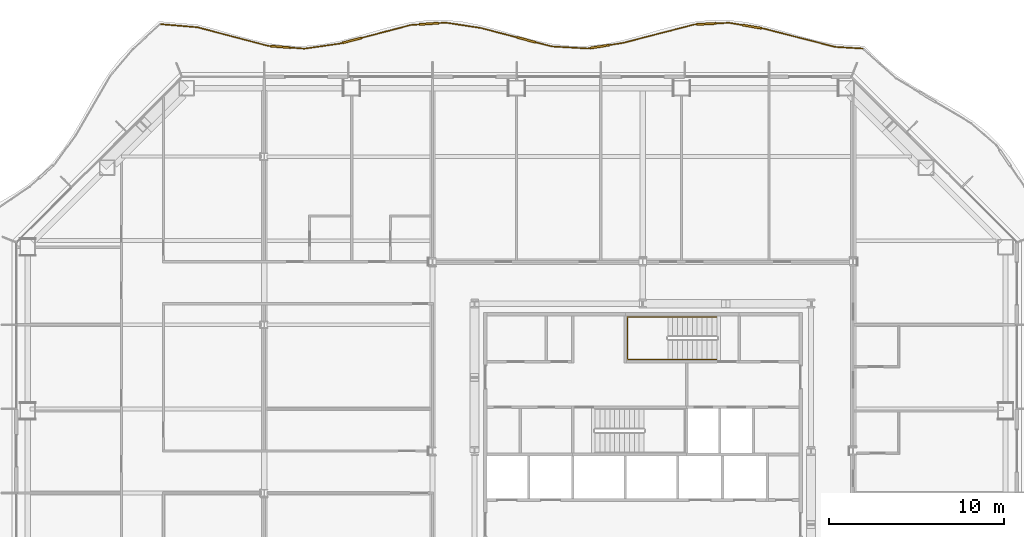
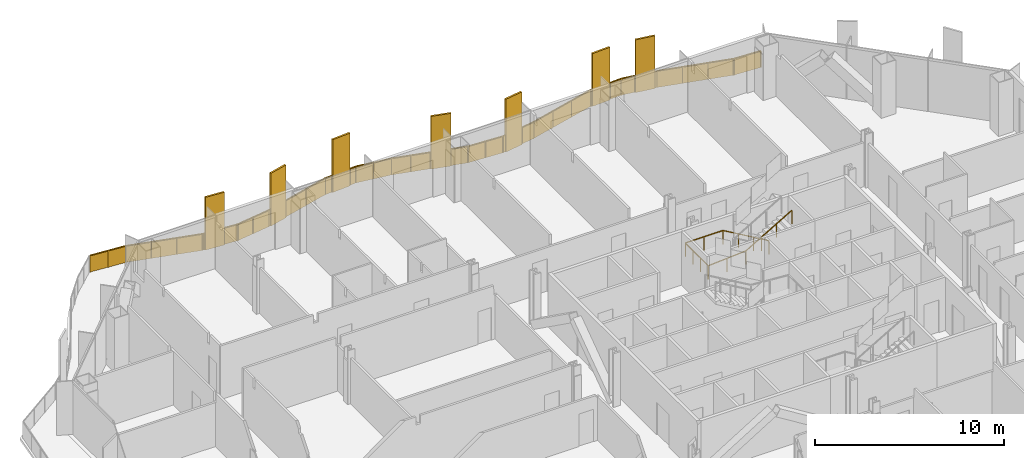
# One storey, part 20 of 21: 2 railings.
"""IFC4 building model written with IfcOpenShell, lengths in metres."""

from ifc_helpers import new_model, si_unit, direction, frame, origin, origin_2d, place, context, subcontext, project, spatial, polyline, rectangle, outline, extrude, material, type_object, element, save


model = new_model("IFC4")

# Units and contexts
model_context = context("Model", 3, precision=1e-05, world=origin(), true_north=direction((0.0, 1.0)))
body_context = subcontext(model_context, "Body", "Model", "MODEL_VIEW")
ifc_project = project(units=[si_unit("LENGTHUNIT", "METRE"), si_unit("AREAUNIT", "SQUARE_METRE"), si_unit("VOLUMEUNIT", "CUBIC_METRE"), si_unit("PLANEANGLEUNIT", "RADIAN"), si_unit("MASSUNIT", "GRAM", prefix="KILO")], contexts=[model_context])

# Site, building, storey
site_placement = place(None, origin())
site = spatial("IfcSite", under=ifc_project, at=site_placement, CompositionType="ELEMENT")
building_placement = place(site_placement, origin())
building = spatial("IfcBuilding", under=site, at=building_placement, Name="Cairn Pilgrim Tower", CompositionType="ELEMENT")
storey_placement = place(building_placement, frame((0.0, 0.0, 69.0)))
storey = spatial("IfcBuildingStorey", under=building, at=storey_placement, Name="L15", CompositionType="ELEMENT", Elevation=69.0)

# Railings
ifc_material_1 = material(Name="Bronze anodised aluminium rail, posts and fin screens with laminated glass infill", Category="aluminium")
railing_type_1 = type_object("IfcRailingType", Name="BALCONY GUARD WITH FIN SCREENS", PredefinedType="GUARDRAIL", material=ifc_material_1)
railing_1_placement = place(storey_placement, frame((19.762939453125, 25.360595703125, 0.0)))
element("IfcRailing", 1, at=railing_1_placement, inside=storey, type_object=railing_type_1, Name="Balcony guard BGF-5 with fin screens", PredefinedType="GUARDRAIL", context=body_context, shape_type="SweptSolid", body=[
    extrude(rectangle(XDim=0.050048828125, YDim=0.050048828125, at=origin_2d()), frame((0.0, 0.0, 1.0751953125), z_axis=(-0.998218141407, 0.059670278748, 0.0), x_axis=(-0.059670278748, -0.998218141407, 0.0)), (0.0, 0.0, 1.0), 1.599853515625),
    extrude(rectangle(XDim=0.050048828125, YDim=0.050048828125, at=origin_2d()), frame((-1.596923828125, 0.095458984375, 1.0751953125), z_axis=(-0.96855607418, 0.248795360024, 0.0), x_axis=(-0.248795360024, -0.96855607418, 0.0)), (0.0, 0.0, 1.0), 4.181396484375),
    extrude(rectangle(XDim=1.10009765625, YDim=0.110107421875, at=origin_2d()), frame((-6.337158203125, 1.251220703125, 0.0), z_axis=(0.0, 0.0, 1.0), x_axis=(-0.986305870656, 0.164926436659, 0.0)), (0.0, 0.0, 1.0), 3.39990234375),
    extrude(rectangle(XDim=0.050048828125, YDim=0.050048828125, at=origin_2d()), frame((-5.646728515625, 1.1357421875, 1.0751953125), z_axis=(-0.986305870656, 0.164926436659, 0.0), x_axis=(-0.164926436659, -0.986305870656, 0.0)), (0.0, 0.0, 1.0), 0.14990234375),
    extrude(rectangle(XDim=0.050048828125, YDim=0.050048828125, at=origin_2d()), frame((-6.879638671875, 1.341796875, 1.0751953125), z_axis=(-0.986305870656, 0.164926436659, 0.0), x_axis=(-0.164926436659, -0.986305870656, 0.0)), (0.0, 0.0, 1.0), 0.776611328125),
    extrude(rectangle(XDim=1.10009765625, YDim=0.110107421875, at=origin_2d()), frame((-8.935791015625, 1.40673828125, 0.0), z_axis=(0.0, 0.0, 1.0), x_axis=(-0.998797465844, -0.049026750072, 0.0)), (0.0, 0.0, 1.0), 3.39990234375),
    extrude(rectangle(XDim=0.050048828125, YDim=0.050048828125, at=origin_2d()), frame((-7.6455078125, 1.469970703125, 1.0751953125), z_axis=(-0.998797465844, -0.049026750072, 0.0), x_axis=(0.049026750072, -0.998797465844, 0.0)), (0.0, 0.0, 1.0), 0.74169921875),
    extrude(rectangle(XDim=0.050048828125, YDim=0.050048828125, at=origin_2d()), frame((-9.485107421875, 1.379638671875, 1.0751953125), z_axis=(-0.998797465844, -0.049026750072, 0.0), x_axis=(0.049026750072, -0.998797465844, 0.0)), (0.0, 0.0, 1.0), 0.150146484375),
    extrude(rectangle(XDim=0.050048828125, YDim=0.050048828125, at=origin_2d()), frame((-9.635009765625, 1.372314453125, 1.0751953125), z_axis=(-0.968096450411, -0.250577857565, 0.0), x_axis=(0.250577857565, -0.968096450411, 0.0)), (0.0, 0.0, 1.0), 4.167236328125),
    extrude(rectangle(XDim=1.10009765625, YDim=0.110107421875, at=origin_2d()), frame((-15.02197265625, 0.112548828125, 0.0), z_axis=(0.0, 0.0, 1.0), x_axis=(-0.987544927849, -0.157337266661, 0.0)), (0.0, 0.0, 1.0), 3.39990234375),
    extrude(rectangle(XDim=0.050048828125, YDim=0.050048828125, at=origin_2d()), frame((-13.669189453125, 0.328125, 1.0751953125), z_axis=(-0.987544927849, -0.157337266661, 0.0), x_axis=(0.157337266661, -0.987544927849, 0.0)), (0.0, 0.0, 1.0), 0.81982421875),
    extrude(rectangle(XDim=0.050048828125, YDim=0.050048828125, at=origin_2d()), frame((-15.565185546875, 0.026123046875, 1.0751953125), z_axis=(-0.987544927849, -0.157337266661, 0.0), x_axis=(0.157337266661, -0.987544927849, 0.0)), (0.0, 0.0, 1.0), 0.150146484375),
    extrude(rectangle(XDim=0.050048828125, YDim=0.050048828125, at=origin_2d()), frame((-15.71337890625, 0.00244140625, 1.0751953125), z_axis=(-0.998304954298, 0.058199812922, 0.0), x_axis=(-0.058199812922, -0.998304954298, 0.0)), (0.0, 0.0, 1.0), 2.055419921875),
    extrude(rectangle(XDim=1.10009765625, YDim=0.110107421875, at=origin_2d()), frame((-19.21337890625, 0.499267578125, 0.0), z_axis=(0.0, 0.0, 1.0), x_axis=(-0.967706443735, 0.252079826154, 0.0)), (0.0, 0.0, 1.0), 3.39990234375),
    extrude(rectangle(XDim=0.050048828125, YDim=0.050048828125, at=origin_2d()), frame((-17.765380859375, 0.1220703125, 1.0751953125), z_axis=(-0.967706443735, 0.252079826154, 0.0), x_axis=(-0.252079826154, -0.967706443735, 0.0)), (0.0, 0.0, 1.0), 0.9462890625),
    extrude(rectangle(XDim=0.050048828125, YDim=0.050048828125, at=origin_2d()), frame((-19.74560546875, 0.637939453125, 1.0751953125), z_axis=(-0.967706443735, 0.252079826154, 0.0), x_axis=(-0.252079826154, -0.967706443735, 0.0)), (0.0, 0.0, 1.0), 2.1376953125),
    extrude(rectangle(XDim=0.050048828125, YDim=0.050048828125, at=origin_2d()), frame((-21.814208984375, 1.1767578125, 1.0751953125), z_axis=(-0.98872255573, 0.149758832096, 0.0), x_axis=(-0.149758832096, -0.98872255573, 0.0)), (0.0, 0.0, 1.0), 2.019775390625),
    extrude(rectangle(XDim=1.10009765625, YDim=0.110107421875, at=origin_2d()), frame((-24.767333984375, 1.41455078125, 0.0), z_axis=(0.0, 0.0, 1.0), x_axis=(-0.997724097108, -0.067428673802, 0.0)), (0.0, 0.0, 1.0), 3.39990234375),
    extrude(rectangle(XDim=0.050048828125, YDim=0.050048828125, at=origin_2d()), frame((-23.811279296875, 1.479248046875, 1.0751953125), z_axis=(-0.997724097108, -0.067428673802, 0.0), x_axis=(0.067428673802, -0.997724097108, 0.0)), (0.0, 0.0, 1.0), 0.408203125),
    extrude(rectangle(XDim=0.050048828125, YDim=0.050048828125, at=origin_2d()), frame((-25.31591796875, 1.37744140625, 1.0751953125), z_axis=(-0.997724097108, -0.067428673802, 0.0), x_axis=(0.067428673802, -0.997724097108, 0.0)), (0.0, 0.0, 1.0), 0.48681640625),
    extrude(rectangle(XDim=1.10009765625, YDim=0.110107421875, at=origin_2d()), frame((-29.1611328125, 0.46484375, 0.0), z_axis=(0.0, 0.0, 1.0), x_axis=(-0.9673770032, -0.253341140913, 0.0)), (0.0, 0.0, 1.0), 3.39990234375),
    extrude(rectangle(XDim=0.050048828125, YDim=0.050048828125, at=origin_2d()), frame((-25.8017578125, 1.3447265625, 1.0751953125), z_axis=(-0.9673770032, -0.253341140913, 0.0), x_axis=(0.253341140913, -0.9673770032, 0.0)), (0.0, 0.0, 1.0), 2.922607421875),
    extrude(rectangle(XDim=0.050048828125, YDim=0.050048828125, at=origin_2d()), frame((-29.693359375, 0.32568359375, 1.0751953125), z_axis=(-0.9673770032, -0.253341140913, 0.0), x_axis=(0.253341140913, -0.9673770032, 0.0)), (0.0, 0.0, 1.0), 0.150146484375),
    extrude(rectangle(XDim=0.050048828125, YDim=0.050048828125, at=origin_2d()), frame((-29.83837890625, 0.28759765625, 1.0751953125), z_axis=(-0.989902187705, -0.141752103251, 0.0), x_axis=(0.141752103251, -0.989902187705, 0.0)), (0.0, 0.0, 1.0), 2.066650390625),
    extrude(rectangle(XDim=1.10009765625, YDim=0.110107421875, at=origin_2d()), frame((-33.2373046875, 0.098388671875, 0.0), z_axis=(0.0, 0.0, 1.0), x_axis=(-0.997074697067, 0.07643329424, 0.0)), (0.0, 0.0, 1.0), 3.39990234375),
    extrude(rectangle(XDim=0.050048828125, YDim=0.050048828125, at=origin_2d()), frame((-31.88427734375, -0.00537109375, 1.0751953125), z_axis=(-0.997074697067, 0.07643329424, 0.0), x_axis=(-0.07643329424, -0.997074697067, 0.0)), (0.0, 0.0, 1.0), 0.806884765625),
    extrude(rectangle(XDim=0.050048828125, YDim=0.050048828125, at=origin_2d()), frame((-33.78564453125, 0.140380859375, 1.0751953125), z_axis=(-0.997074697067, 0.07643329424, 0.0), x_axis=(-0.07643329424, -0.997074697067, 0.0)), (0.0, 0.0, 1.0), 0.150146484375),
    extrude(rectangle(XDim=0.050048828125, YDim=0.050048828125, at=origin_2d()), frame((-33.935302734375, 0.15185546875, 1.0751953125), z_axis=(-0.967112353025, 0.254349555977, 0.0), x_axis=(-0.254349555977, -0.967112353025, 0.0)), (0.0, 0.0, 1.0), 4.18017578125),
    extrude(rectangle(XDim=0.050048828125, YDim=0.050048828125, at=origin_2d()), frame((-37.97802734375, 1.215087890625, 1.0751953125), z_axis=(-0.996430975834, 0.084411553704, 0.0), x_axis=(-0.084411553704, -0.996430975834, 0.0)), (0.0, 0.0, 1.0), 2.085205078125),
    extrude(rectangle(XDim=0.050048828125, YDim=0.050048828125, at=origin_2d()), origin(), (0.0, 0.0, 1.0), 1.050048828125),
    extrude(rectangle(XDim=0.050048828125, YDim=0.050048828125, at=origin_2d()), frame((-1.596923828125, 0.095458984375, 0.0)), (0.0, 0.0, 1.0), 1.050048828125),
    extrude(rectangle(XDim=0.050048828125, YDim=0.050048828125, at=origin_2d()), frame((-2.94677734375, 0.442138671875, 0.0)), (0.0, 0.0, 1.0), 1.050048828125),
    extrude(rectangle(XDim=0.050048828125, YDim=0.050048828125, at=origin_2d()), frame((-4.296875, 0.7890625, 0.0)), (0.0, 0.0, 1.0), 1.050048828125),
    extrude(rectangle(XDim=0.050048828125, YDim=0.050048828125, at=origin_2d()), frame((-5.646728515625, 1.1357421875, 0.0)), (0.0, 0.0, 1.0), 1.050048828125),
    extrude(rectangle(XDim=0.050048828125, YDim=0.050048828125, at=origin_2d()), frame((-5.77001953125, 1.15625, 0.0)), (0.0, 0.0, 1.0), 1.050048828125),
    extrude(rectangle(XDim=0.050048828125, YDim=0.050048828125, at=origin_2d()), frame((-6.904296875, 1.345947265625, 0.0)), (0.0, 0.0, 1.0), 1.050048828125),
    extrude(rectangle(XDim=0.050048828125, YDim=0.050048828125, at=origin_2d()), frame((-7.6455078125, 1.469970703125, 0.0)), (0.0, 0.0, 1.0), 1.050048828125),
    extrude(rectangle(XDim=0.050048828125, YDim=0.050048828125, at=origin_2d()), frame((-8.361328125, 1.434814453125, 0.0)), (0.0, 0.0, 1.0), 1.050048828125),
    extrude(rectangle(XDim=0.050048828125, YDim=0.050048828125, at=origin_2d()), frame((-9.510009765625, 1.37841796875, 0.0)), (0.0, 0.0, 1.0), 1.050048828125),
    extrude(rectangle(XDim=0.050048828125, YDim=0.050048828125, at=origin_2d()), frame((-9.635009765625, 1.372314453125, 0.0)), (0.0, 0.0, 1.0), 1.050048828125),
    extrude(rectangle(XDim=0.050048828125, YDim=0.050048828125, at=origin_2d()), frame((-10.979736328125, 1.024169921875, 0.0)), (0.0, 0.0, 1.0), 1.050048828125),
    extrude(rectangle(XDim=0.050048828125, YDim=0.050048828125, at=origin_2d()), frame((-12.324462890625, 0.67626953125, 0.0)), (0.0, 0.0, 1.0), 1.050048828125),
    extrude(rectangle(XDim=0.050048828125, YDim=0.050048828125, at=origin_2d()), frame((-13.669189453125, 0.328125, 0.0)), (0.0, 0.0, 1.0), 1.050048828125),
    extrude(rectangle(XDim=0.050048828125, YDim=0.050048828125, at=origin_2d()), frame((-14.4541015625, 0.203125, 0.0)), (0.0, 0.0, 1.0), 1.050048828125),
    extrude(rectangle(XDim=0.050048828125, YDim=0.050048828125, at=origin_2d()), frame((-15.58984375, 0.022216796875, 0.0)), (0.0, 0.0, 1.0), 1.050048828125),
    extrude(rectangle(XDim=0.050048828125, YDim=0.050048828125, at=origin_2d()), frame((-15.71337890625, 0.00244140625, 0.0)), (0.0, 0.0, 1.0), 1.050048828125),
    extrude(rectangle(XDim=0.050048828125, YDim=0.050048828125, at=origin_2d()), frame((-16.7392578125, 0.062255859375, 0.0)), (0.0, 0.0, 1.0), 1.050048828125),
    extrude(rectangle(XDim=0.050048828125, YDim=0.050048828125, at=origin_2d()), frame((-17.765380859375, 0.1220703125, 0.0)), (0.0, 0.0, 1.0), 1.050048828125),
    extrude(rectangle(XDim=0.050048828125, YDim=0.050048828125, at=origin_2d()), frame((-18.65673828125, 0.354248046875, 0.0)), (0.0, 0.0, 1.0), 1.050048828125),
    extrude(rectangle(XDim=0.050048828125, YDim=0.050048828125, at=origin_2d()), frame((-19.769775390625, 0.644287109375, 0.0)), (0.0, 0.0, 1.0), 1.050048828125),
    extrude(rectangle(XDim=0.050048828125, YDim=0.050048828125, at=origin_2d()), frame((-20.7919921875, 0.910400390625, 0.0)), (0.0, 0.0, 1.0), 1.050048828125),
    extrude(rectangle(XDim=0.050048828125, YDim=0.050048828125, at=origin_2d()), frame((-21.814208984375, 1.1767578125, 0.0)), (0.0, 0.0, 1.0), 1.050048828125),
    extrude(rectangle(XDim=0.050048828125, YDim=0.050048828125, at=origin_2d()), frame((-22.812744140625, 1.328125, 0.0)), (0.0, 0.0, 1.0), 1.050048828125),
    extrude(rectangle(XDim=0.050048828125, YDim=0.050048828125, at=origin_2d()), frame((-23.811279296875, 1.479248046875, 0.0)), (0.0, 0.0, 1.0), 1.050048828125),
    extrude(rectangle(XDim=0.050048828125, YDim=0.050048828125, at=origin_2d()), frame((-24.193603515625, 1.453369140625, 0.0)), (0.0, 0.0, 1.0), 1.050048828125),
    extrude(rectangle(XDim=0.050048828125, YDim=0.050048828125, at=origin_2d()), frame((-25.341064453125, 1.3759765625, 0.0)), (0.0, 0.0, 1.0), 1.050048828125),
    extrude(rectangle(XDim=0.050048828125, YDim=0.050048828125, at=origin_2d()), frame((-25.8017578125, 1.3447265625, 0.0)), (0.0, 0.0, 1.0), 1.050048828125),
    extrude(rectangle(XDim=0.050048828125, YDim=0.050048828125, at=origin_2d()), frame((-27.203369140625, 0.977783203125, 0.0)), (0.0, 0.0, 1.0), 1.050048828125),
    extrude(rectangle(XDim=0.050048828125, YDim=0.050048828125, at=origin_2d()), frame((-28.60498046875, 0.610595703125, 0.0)), (0.0, 0.0, 1.0), 1.050048828125),
    extrude(rectangle(XDim=0.050048828125, YDim=0.050048828125, at=origin_2d()), frame((-29.717529296875, 0.3193359375, 0.0)), (0.0, 0.0, 1.0), 1.050048828125),
    extrude(rectangle(XDim=0.050048828125, YDim=0.050048828125, at=origin_2d()), frame((-29.83837890625, 0.28759765625, 0.0)), (0.0, 0.0, 1.0), 1.050048828125),
    extrude(rectangle(XDim=0.050048828125, YDim=0.050048828125, at=origin_2d()), frame((-30.861328125, 0.14111328125, 0.0)), (0.0, 0.0, 1.0), 1.050048828125),
    extrude(rectangle(XDim=0.050048828125, YDim=0.050048828125, at=origin_2d()), frame((-31.88427734375, -0.00537109375, 0.0)), (0.0, 0.0, 1.0), 1.050048828125),
    extrude(rectangle(XDim=0.050048828125, YDim=0.050048828125, at=origin_2d()), frame((-32.6640625, 0.054443359375, 0.0)), (0.0, 0.0, 1.0), 1.050048828125),
    extrude(rectangle(XDim=0.050048828125, YDim=0.050048828125, at=origin_2d()), frame((-33.810546875, 0.142333984375, 0.0)), (0.0, 0.0, 1.0), 1.050048828125),
    extrude(rectangle(XDim=0.050048828125, YDim=0.050048828125, at=origin_2d()), frame((-33.935302734375, 0.15185546875, 0.0)), (0.0, 0.0, 1.0), 1.050048828125),
    extrude(rectangle(XDim=0.050048828125, YDim=0.050048828125, at=origin_2d()), frame((-35.282958984375, 0.50634765625, 0.0)), (0.0, 0.0, 1.0), 1.050048828125),
    extrude(rectangle(XDim=0.050048828125, YDim=0.050048828125, at=origin_2d()), frame((-36.63037109375, 0.860595703125, 0.0)), (0.0, 0.0, 1.0), 1.050048828125),
    extrude(rectangle(XDim=0.050048828125, YDim=0.050048828125, at=origin_2d()), frame((-37.97802734375, 1.215087890625, 0.0)), (0.0, 0.0, 1.0), 1.050048828125),
    extrude(rectangle(XDim=0.050048828125, YDim=0.050048828125, at=origin_2d()), frame((-39.01708984375, 1.30322265625, 0.0)), (0.0, 0.0, 1.0), 1.050048828125),
    extrude(rectangle(XDim=0.050048828125, YDim=0.050048828125, at=origin_2d()), frame((-40.055908203125, 1.39111328125, 0.0)), (0.0, 0.0, 1.0), 1.050048828125),
    extrude(outline(polyline([(0.02490234375, 0.0), (1.57470703125, 0.0), (1.57470703125, 1.050048828125), (0.02490234375, 1.050048828125), (0.02490234375, 0.0)])), frame((-0.000244140625, -0.005859375, 0.0), z_axis=(0.059670278748, 0.998218141407, 0.0), x_axis=(-0.998218141407, 0.059670278748, 0.0)), (0.0, 0.0, 1.0), 0.011962890625),
    extrude(outline(polyline([(0.02490234375, 0.0), (1.36865234375, 0.0), (1.36865234375, 1.050048828125), (0.02490234375, 1.050048828125), (0.02490234375, 0.0)])), frame((-1.598388671875, 0.089599609375, 0.0), z_axis=(0.248795360024, 0.96855607418, 0.0), x_axis=(-0.96855607418, 0.248795360024, 0.0)), (0.0, 0.0, 1.0), 0.011962890625),
    extrude(outline(polyline([(0.02490234375, 0.0), (1.36865234375, 0.0), (1.36865234375, 1.050048828125), (0.02490234375, 1.050048828125), (0.02490234375, 0.0)])), frame((-2.9482421875, 0.4365234375, 0.0), z_axis=(0.248795360024, 0.96855607418, 0.0), x_axis=(-0.96855607418, 0.248795360024, 0.0)), (0.0, 0.0, 1.0), 0.011962890625),
    extrude(outline(polyline([(0.02490234375, 0.0), (1.36865234375, 0.0), (1.36865234375, 1.050048828125), (0.02490234375, 1.050048828125), (0.02490234375, 0.0)])), frame((-4.29833984375, 0.783203125, 0.0), z_axis=(0.248795360024, 0.96855607418, 0.0), x_axis=(-0.96855607418, 0.248795360024, 0.0)), (0.0, 0.0, 1.0), 0.011962890625),
    extrude(outline(polyline([(0.02490234375, 0.0), (0.099853515625, 0.0), (0.099853515625, 1.050048828125), (0.02490234375, 1.050048828125), (0.02490234375, 0.0)])), frame((-5.647705078125, 1.1298828125, 0.0), z_axis=(0.164926436659, 0.986305870656, 0.0), x_axis=(-0.986305870656, 0.164926436659, 0.0)), (0.0, 0.0, 1.0), 0.011962890625),
    extrude(outline(polyline([(0.02490234375, 0.0), (0.7265625, 0.0), (0.7265625, 1.050048828125), (0.02490234375, 1.050048828125), (0.02490234375, 0.0)])), frame((-6.9052734375, 1.340087890625, 0.0), z_axis=(0.164926436659, 0.986305870656, 0.0), x_axis=(-0.986305870656, 0.164926436659, 0.0)), (0.0, 0.0, 1.0), 0.011962890625),
    extrude(outline(polyline([(0.02490234375, 0.0), (0.691650390625, 0.0), (0.691650390625, 1.050048828125), (0.02490234375, 1.050048828125), (0.02490234375, 0.0)])), frame((-7.645263671875, 1.464111328125, 0.0), z_axis=(-0.049026750072, 0.998797465844, 0.0), x_axis=(-0.998797465844, -0.049026750072, 0.0)), (0.0, 0.0, 1.0), 0.011962890625),
    extrude(outline(polyline([(0.02490234375, 0.0), (0.10009765625, 0.0), (0.10009765625, 1.050048828125), (0.02490234375, 1.050048828125), (0.02490234375, 0.0)])), frame((-9.509765625, 1.37255859375, 0.0), z_axis=(-0.049026750072, 0.998797465844, 0.0), x_axis=(-0.998797465844, -0.049026750072, 0.0)), (0.0, 0.0, 1.0), 0.011962890625),
    extrude(outline(polyline([(0.02490234375, 0.0), (1.364013671875, 0.0), (1.364013671875, 1.050048828125), (0.02490234375, 1.050048828125), (0.02490234375, 0.0)])), frame((-9.633544921875, 1.366455078125, 0.0), z_axis=(-0.250577857565, 0.968096450411, 0.0), x_axis=(-0.968096450411, -0.250577857565, 0.0)), (0.0, 0.0, 1.0), 0.011962890625),
    extrude(outline(polyline([(0.02490234375, 0.0), (1.364013671875, 0.0), (1.364013671875, 1.050048828125), (0.02490234375, 1.050048828125), (0.02490234375, 0.0)])), frame((-10.978271484375, 1.0185546875, 0.0), z_axis=(-0.250577857565, 0.968096450411, 0.0), x_axis=(-0.968096450411, -0.250577857565, 0.0)), (0.0, 0.0, 1.0), 0.011962890625),
    extrude(outline(polyline([(0.02490234375, 0.0), (1.364013671875, 0.0), (1.364013671875, 1.050048828125), (0.02490234375, 1.050048828125), (0.02490234375, 0.0)])), frame((-12.322998046875, 0.67041015625, 0.0), z_axis=(-0.250577857565, 0.968096450411, 0.0), x_axis=(-0.968096450411, -0.250577857565, 0.0)), (0.0, 0.0, 1.0), 0.011962890625),
    extrude(outline(polyline([(0.02490234375, 0.0), (0.769775390625, 0.0), (0.769775390625, 1.050048828125), (0.02490234375, 1.050048828125), (0.02490234375, 0.0)])), frame((-13.668212890625, 0.322265625, 0.0), z_axis=(-0.157337266661, 0.987544927849, 0.0), x_axis=(-0.987544927849, -0.157337266661, 0.0)), (0.0, 0.0, 1.0), 0.011962890625),
    extrude(outline(polyline([(0.02490234375, 0.0), (0.10009765625, 0.0), (0.10009765625, 1.050048828125), (0.02490234375, 1.050048828125), (0.02490234375, 0.0)])), frame((-15.5888671875, 0.01611328125, 0.0), z_axis=(-0.157337266661, 0.987544927849, 0.0), x_axis=(-0.987544927849, -0.157337266661, 0.0)), (0.0, 0.0, 1.0), 0.011962890625),
    extrude(outline(polyline([(0.02490234375, 0.0), (1.002685546875, 0.0), (1.002685546875, 1.050048828125), (0.02490234375, 1.050048828125), (0.02490234375, 0.0)])), frame((-15.713623046875, -0.00341796875, 0.0), z_axis=(0.058199812922, 0.998304954298, 0.0), x_axis=(-0.998304954298, 0.058199812922, 0.0)), (0.0, 0.0, 1.0), 0.011962890625),
    extrude(outline(polyline([(0.02490234375, 0.0), (1.002685546875, 0.0), (1.002685546875, 1.050048828125), (0.02490234375, 1.050048828125), (0.02490234375, 0.0)])), frame((-16.73974609375, 0.056396484375, 0.0), z_axis=(0.058199812922, 0.998304954298, 0.0), x_axis=(-0.998304954298, 0.058199812922, 0.0)), (0.0, 0.0, 1.0), 0.011962890625),
    extrude(outline(polyline([(0.02490234375, 0.0), (0.896240234375, 0.0), (0.896240234375, 1.050048828125), (0.02490234375, 1.050048828125), (0.02490234375, 0.0)])), frame((-17.766845703125, 0.1162109375, 0.0), z_axis=(0.252079826154, 0.967706443735, 0.0), x_axis=(-0.967706443735, 0.252079826154, 0.0)), (0.0, 0.0, 1.0), 0.011962890625),
    extrude(outline(polyline([(0.02490234375, 0.0), (1.03125, 0.0), (1.03125, 1.050048828125), (0.02490234375, 1.050048828125), (0.02490234375, 0.0)])), frame((-19.771240234375, 0.638427734375, 0.0), z_axis=(0.252079826154, 0.967706443735, 0.0), x_axis=(-0.967706443735, 0.252079826154, 0.0)), (0.0, 0.0, 1.0), 0.011962890625),
    extrude(outline(polyline([(0.02490234375, 0.0), (1.03125, 0.0), (1.03125, 1.050048828125), (0.02490234375, 1.050048828125), (0.02490234375, 0.0)])), frame((-20.79345703125, 0.90478515625, 0.0), z_axis=(0.252079826154, 0.967706443735, 0.0), x_axis=(-0.967706443735, 0.252079826154, 0.0)), (0.0, 0.0, 1.0), 0.011962890625),
    extrude(outline(polyline([(0.02490234375, 0.0), (0.98486328125, 0.0), (0.98486328125, 1.050048828125), (0.02490234375, 1.050048828125), (0.02490234375, 0.0)])), frame((-21.815185546875, 1.1708984375, 0.0), z_axis=(0.149758832096, 0.98872255573, 0.0), x_axis=(-0.98872255573, 0.149758832096, 0.0)), (0.0, 0.0, 1.0), 0.011962890625),
    extrude(outline(polyline([(0.02490234375, 0.0), (0.98486328125, 0.0), (0.98486328125, 1.050048828125), (0.02490234375, 1.050048828125), (0.02490234375, 0.0)])), frame((-22.813720703125, 1.322021484375, 0.0), z_axis=(0.149758832096, 0.98872255573, 0.0), x_axis=(-0.98872255573, 0.149758832096, 0.0)), (0.0, 0.0, 1.0), 0.011962890625),
    extrude(outline(polyline([(0.02490234375, 0.0), (0.358154296875, 0.0), (0.358154296875, 1.050048828125), (0.02490234375, 1.050048828125), (0.02490234375, 0.0)])), frame((-23.810791015625, 1.473388671875, 0.0), z_axis=(-0.067428673802, 0.997724097108, 0.0), x_axis=(-0.997724097108, -0.067428673802, 0.0)), (0.0, 0.0, 1.0), 0.011962890625),
    extrude(outline(polyline([(0.02490234375, 0.0), (0.436767578125, 0.0), (0.436767578125, 1.050048828125), (0.02490234375, 1.050048828125), (0.02490234375, 0.0)])), frame((-25.340576171875, 1.369873046875, 0.0), z_axis=(-0.067428673802, 0.997724097108, 0.0), x_axis=(-0.997724097108, -0.067428673802, 0.0)), (0.0, 0.0, 1.0), 0.011962890625),
    extrude(outline(polyline([(0.02490234375, 0.0), (1.423828125, 0.0), (1.423828125, 1.050048828125), (0.02490234375, 1.050048828125), (0.02490234375, 0.0)])), frame((-25.80029296875, 1.3388671875, 0.0), z_axis=(-0.253341140913, 0.9673770032, 0.0), x_axis=(-0.9673770032, -0.253341140913, 0.0)), (0.0, 0.0, 1.0), 0.011962890625),
    extrude(outline(polyline([(0.02490234375, 0.0), (1.423828125, 0.0), (1.423828125, 1.050048828125), (0.02490234375, 1.050048828125), (0.02490234375, 0.0)])), frame((-27.201904296875, 0.971923828125, 0.0), z_axis=(-0.253341140913, 0.9673770032, 0.0), x_axis=(-0.9673770032, -0.253341140913, 0.0)), (0.0, 0.0, 1.0), 0.011962890625),
    extrude(outline(polyline([(0.02490234375, 0.0), (0.10009765625, 0.0), (0.10009765625, 1.050048828125), (0.02490234375, 1.050048828125), (0.02490234375, 0.0)])), frame((-29.7158203125, 0.3134765625, 0.0), z_axis=(-0.253341140913, 0.9673770032, 0.0), x_axis=(-0.9673770032, -0.253341140913, 0.0)), (0.0, 0.0, 1.0), 0.011962890625),
    extrude(outline(polyline([(0.02490234375, 0.0), (1.00830078125, 0.0), (1.00830078125, 1.050048828125), (0.02490234375, 1.050048828125), (0.02490234375, 0.0)])), frame((-29.837646484375, 0.28173828125, 0.0), z_axis=(-0.141752103251, 0.989902187705, 0.0), x_axis=(-0.989902187705, -0.141752103251, 0.0)), (0.0, 0.0, 1.0), 0.011962890625),
    extrude(outline(polyline([(0.02490234375, 0.0), (1.00830078125, 0.0), (1.00830078125, 1.050048828125), (0.02490234375, 1.050048828125), (0.02490234375, 0.0)])), frame((-30.860595703125, 0.13525390625, 0.0), z_axis=(-0.141752103251, 0.989902187705, 0.0), x_axis=(-0.989902187705, -0.141752103251, 0.0)), (0.0, 0.0, 1.0), 0.011962890625),
    extrude(outline(polyline([(0.02490234375, 0.0), (0.7568359375, 0.0), (0.7568359375, 1.050048828125), (0.02490234375, 1.050048828125), (0.02490234375, 0.0)])), frame((-31.884765625, -0.01123046875, 0.0), z_axis=(0.07643329424, 0.997074697067, 0.0), x_axis=(-0.997074697067, 0.07643329424, 0.0)), (0.0, 0.0, 1.0), 0.011962890625),
    extrude(outline(polyline([(0.02490234375, 0.0), (0.10009765625, 0.0), (0.10009765625, 1.050048828125), (0.02490234375, 1.050048828125), (0.02490234375, 0.0)])), frame((-33.81103515625, 0.13623046875, 0.0), z_axis=(0.07643329424, 0.997074697067, 0.0), x_axis=(-0.997074697067, 0.07643329424, 0.0)), (0.0, 0.0, 1.0), 0.011962890625),
    extrude(outline(polyline([(0.02490234375, 0.0), (1.368408203125, 0.0), (1.368408203125, 1.050048828125), (0.02490234375, 1.050048828125), (0.02490234375, 0.0)])), frame((-33.936767578125, 0.14599609375, 0.0), z_axis=(0.254349555977, 0.967112353025, 0.0), x_axis=(-0.967112353025, 0.254349555977, 0.0)), (0.0, 0.0, 1.0), 0.011962890625),
    extrude(outline(polyline([(0.02490234375, 0.0), (1.368408203125, 0.0), (1.368408203125, 1.050048828125), (0.02490234375, 1.050048828125), (0.02490234375, 0.0)])), frame((-35.284423828125, 0.50048828125, 0.0), z_axis=(0.254349555977, 0.967112353025, 0.0), x_axis=(-0.967112353025, 0.254349555977, 0.0)), (0.0, 0.0, 1.0), 0.011962890625),
    extrude(outline(polyline([(0.02490234375, 0.0), (1.368408203125, 0.0), (1.368408203125, 1.050048828125), (0.02490234375, 1.050048828125), (0.02490234375, 0.0)])), frame((-36.632080078125, 0.85498046875, 0.0), z_axis=(0.254349555977, 0.967112353025, 0.0), x_axis=(-0.967112353025, 0.254349555977, 0.0)), (0.0, 0.0, 1.0), 0.011962890625),
    extrude(outline(polyline([(0.02490234375, 0.0), (1.017578125, 0.0), (1.017578125, 1.050048828125), (0.02490234375, 1.050048828125), (0.02490234375, 0.0)])), frame((-37.978515625, 1.209228515625, 0.0), z_axis=(0.084411553704, 0.996430975834, 0.0), x_axis=(-0.996430975834, 0.084411553704, 0.0)), (0.0, 0.0, 1.0), 0.011962890625),
    extrude(outline(polyline([(0.02490234375, 0.0), (1.017578125, 0.0), (1.017578125, 1.050048828125), (0.02490234375, 1.050048828125), (0.02490234375, 0.0)])), frame((-39.017578125, 1.297119140625, 0.0), z_axis=(0.084411553704, 0.996430975834, 0.0), x_axis=(-0.996430975834, 0.084411553704, 0.0)), (0.0, 0.0, 1.0), 0.011962890625),
])
ifc_material_2 = material(Name="Painted steel", Category="steel")
railing_type_2 = type_object("IfcRailingType", Name="STAIR HANDRAIL 900", PredefinedType="HANDRAIL", material=ifc_material_2)
railing_2_placement = place(storey_placement, frame((11.425048828125, 10.050048828125, 0.16357421875)))
element("IfcRailing", 2, at=railing_2_placement, inside=storey, type_object=railing_type_2, Name="L15 ST-C stair handrail 1", PredefinedType="HANDRAIL", context=body_context, shape_type="SweptSolid", body=[
    extrude(rectangle(XDim=0.048095703125, YDim=0.048095703125, at=origin_2d()), frame((0.0, 0.0, 0.8759765625), z_axis=(-0.863360870873, 0.0, 0.504586966384), x_axis=(0.0, -1.0, 0.0)), (0.0, 0.0, 1.0), 3.2431640625),
    extrude(rectangle(XDim=0.048095703125, YDim=0.048095703125, at=origin_2d()), frame((-2.800048828125, 0.0, 2.51220703125), z_axis=(-1.0, 0.0, 0.0), x_axis=(0.0, -1.0, 0.0)), (0.0, 0.0, 1.0), 2.300048828125),
    extrude(rectangle(XDim=0.048095703125, YDim=0.048095703125, at=origin_2d()), frame((-5.10009765625, 0.0, 2.51220703125), z_axis=(0.0, -1.0, 0.0), x_axis=(1.0, 0.0, 0.0)), (0.0, 0.0, 1.0), 2.425048828125),
    extrude(rectangle(XDim=0.048095703125, YDim=0.048095703125, at=origin_2d()), frame((-5.10009765625, -2.425048828125, 2.51220703125), z_axis=(0.997480687736, 0.0, 0.070938548008), x_axis=(0.0, 1.0, 0.0)), (0.0, 0.0, 1.0), 2.305908203125),
    extrude(rectangle(XDim=0.048095703125, YDim=0.048095703125, at=origin_2d()), frame((-2.800048828125, -2.425048828125, 2.67578125), z_axis=(0.863360870873, 0.0, 0.504586966384), x_axis=(0.0, 1.0, 0.0)), (0.0, 0.0, 1.0), 3.2431640625),
    extrude(rectangle(XDim=0.0419921875, YDim=0.0419921875, at=origin_2d()), origin(), (0.0, 0.0, 1.0), 0.851806640625),
    extrude(rectangle(XDim=0.0419921875, YDim=0.0419921875, at=origin_2d()), frame((-0.933349609375, 0.0, 0.54541015625)), (0.0, 0.0, 1.0), 0.851806640625),
    extrude(rectangle(XDim=0.0419921875, YDim=0.0419921875, at=origin_2d()), frame((-1.86669921875, 0.0, 1.091064453125)), (0.0, 0.0, 1.0), 0.851806640625),
    extrude(rectangle(XDim=0.0419921875, YDim=0.0419921875, at=origin_2d()), frame((-2.800048828125, 0.0, 1.636474609375)), (0.0, 0.0, 1.0), 0.851806640625),
    extrude(rectangle(XDim=0.0419921875, YDim=0.0419921875, at=origin_2d()), frame((-3.9501953125, 0.0, 1.636474609375)), (0.0, 0.0, 1.0), 0.851806640625),
    extrude(rectangle(XDim=0.0419921875, YDim=0.0419921875, at=origin_2d()), frame((-5.10009765625, 0.0, 1.636474609375)), (0.0, 0.0, 1.0), 0.851806640625),
    extrude(rectangle(XDim=0.0419921875, YDim=0.0419921875, at=origin_2d()), frame((-5.10009765625, -0.808349609375, 1.636474609375)), (0.0, 0.0, 1.0), 0.851806640625),
    extrude(rectangle(XDim=0.0419921875, YDim=0.0419921875, at=origin_2d()), frame((-5.10009765625, -1.61669921875, 1.636474609375)), (0.0, 0.0, 1.0), 0.851806640625),
    extrude(rectangle(XDim=0.0419921875, YDim=0.0419921875, at=origin_2d()), frame((-5.10009765625, -2.425048828125, 1.636474609375)), (0.0, 0.0, 1.0), 0.851806640625),
    extrude(rectangle(XDim=0.0419921875, YDim=0.0419921875, at=origin_2d()), frame((-3.9501953125, -2.425048828125, 1.71826171875)), (0.0, 0.0, 1.0), 0.851806640625),
    extrude(rectangle(XDim=0.0419921875, YDim=0.0419921875, at=origin_2d()), frame((-2.800048828125, -2.425048828125, 1.800048828125)), (0.0, 0.0, 1.0), 0.851806640625),
    extrude(rectangle(XDim=0.0419921875, YDim=0.0419921875, at=origin_2d()), frame((-1.86669921875, -2.425048828125, 2.345458984375)), (0.0, 0.0, 1.0), 0.851806640625),
    extrude(rectangle(XDim=0.0419921875, YDim=0.0419921875, at=origin_2d()), frame((-0.933349609375, -2.425048828125, 2.89111328125)), (0.0, 0.0, 1.0), 0.851806640625),
    extrude(rectangle(XDim=0.0419921875, YDim=0.0419921875, at=origin_2d()), frame((0.0, -2.425048828125, 3.4365234375)), (0.0, 0.0, 1.0), 0.851806640625),
])

save(model, "model.ifc")
